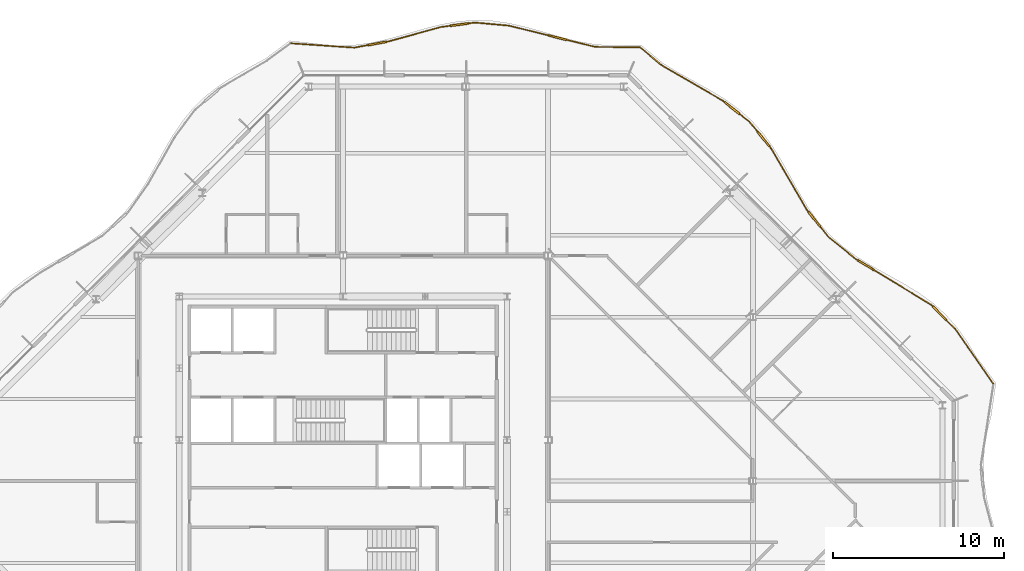
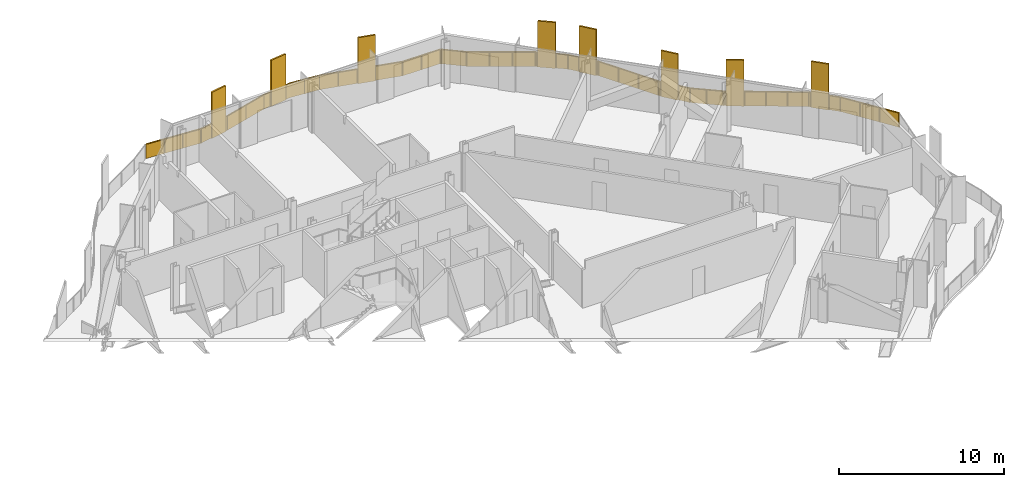
# One storey, part 17 of 17: 2 railings.
"""IFC4 building model written with IfcOpenShell, lengths in metres."""

from ifc_helpers import new_model, si_unit, direction, frame, origin, origin_2d, place, context, subcontext, project, spatial, polyline, rectangle, outline, extrude, material, type_object, element, save


model = new_model("IFC4")

# Units and contexts
model_context = context("Model", 3, precision=1e-05, world=origin(), true_north=direction((0.0, 1.0)))
body_context = subcontext(model_context, "Body", "Model", "MODEL_VIEW")
ifc_project = project(units=[si_unit("LENGTHUNIT", "METRE"), si_unit("AREAUNIT", "SQUARE_METRE"), si_unit("VOLUMEUNIT", "CUBIC_METRE"), si_unit("PLANEANGLEUNIT", "RADIAN"), si_unit("MASSUNIT", "GRAM", prefix="KILO")], contexts=[model_context])

# Site, building, storey
site_placement = place(None, origin())
site = spatial("IfcSite", under=ifc_project, at=site_placement, CompositionType="ELEMENT")
building_placement = place(site_placement, origin())
building = spatial("IfcBuilding", under=site, at=building_placement, Name="Cairn Pilgrim Tower", CompositionType="ELEMENT")
storey_placement = place(building_placement, frame((0.0, 0.0, 235.800048828125)))
storey = spatial("IfcBuildingStorey", under=building, at=storey_placement, Name="L60", CompositionType="ELEMENT", Elevation=235.800048828125)

# Railings
ifc_material = material(Name="Bronze anodised aluminium rail, posts and fin screens with laminated glass infill", Category="aluminium")
railing_type = type_object("IfcRailingType", Name="BALCONY GUARD WITH FIN SCREENS", PredefinedType="GUARDRAIL", material=ifc_material)
railing_1_placement = place(storey_placement, frame((45.27880859375, 5.689697265625, 0.0)))
element("IfcRailing", 1, at=railing_1_placement, inside=storey, type_object=railing_type, Name="Balcony guard BGF-4 with fin screens", PredefinedType="GUARDRAIL", context=body_context, shape_type="SweptSolid", body=[
    extrude(rectangle(XDim=0.050048828125, YDim=0.050048828125, at=origin_2d()), frame((0.0, 0.0, 1.0751953125), z_axis=(-0.571986382255, 0.820263115418, 0.0), x_axis=(-0.820263115418, -0.571986382255, 0.0)), (0.0, 0.0, 1.0), 3.932373046875),
    extrude(rectangle(XDim=1.10009765625, YDim=0.110107421875, at=origin_2d()), frame((-3.15185546875, 4.133056640625, 0.0), z_axis=(0.0, 0.0, 1.0), x_axis=(-0.705131289232, 0.709076769431, 0.0)), (0.0, 0.0, 1.0), 3.39990234375),
    extrude(rectangle(XDim=0.050048828125, YDim=0.050048828125, at=origin_2d()), frame((-2.249267578125, 3.2255859375, 1.0751953125), z_axis=(-0.705131289232, 0.709076769431, 0.0), x_axis=(-0.709076769431, -0.705131289232, 0.0)), (0.0, 0.0, 1.0), 0.72998046875),
    extrude(rectangle(XDim=0.050048828125, YDim=0.050048828125, at=origin_2d()), frame((-3.53955078125, 4.523193359375, 1.0751953125), z_axis=(-0.705131289232, 0.709076769431, 0.0), x_axis=(-0.709076769431, -0.705131289232, 0.0)), (0.0, 0.0, 1.0), 0.150146484375),
    extrude(rectangle(XDim=1.10009765625, YDim=0.110107421875, at=origin_2d()), frame((-7.46337890625, 6.949462890625, 0.0), z_axis=(0.0, 0.0, 1.0), x_axis=(-0.854611563924, 0.5192678257, 0.0)), (0.0, 0.0, 1.0), 3.39990234375),
    extrude(rectangle(XDim=0.050048828125, YDim=0.050048828125, at=origin_2d()), frame((-3.6455078125, 4.629638671875, 1.0751953125), z_axis=(-0.854611563924, 0.5192678257, 0.0), x_axis=(-0.5192678257, -0.854611563924, 0.0)), (0.0, 0.0, 1.0), 3.91748046875),
    extrude(rectangle(XDim=0.050048828125, YDim=0.050048828125, at=origin_2d()), frame((-7.933349609375, 7.235107421875, 1.0751953125), z_axis=(-0.854611563924, 0.5192678257, 0.0), x_axis=(-0.5192678257, -0.854611563924, 0.0)), (0.0, 0.0, 1.0), 0.150146484375),
    extrude(rectangle(XDim=0.050048828125, YDim=0.050048828125, at=origin_2d()), frame((-8.061767578125, 7.31298828125, 1.0751953125), z_axis=(-0.779064191246, 0.626944164913, 0.0), x_axis=(-0.626944164913, -0.779064191246, 0.0)), (0.0, 0.0, 1.0), 2.049560546875),
    extrude(rectangle(XDim=1.10009765625, YDim=0.110107421875, at=origin_2d()), frame((-10.4814453125, 9.629638671875, 0.0), z_axis=(0.0, 0.0, 1.0), x_axis=(-0.623591441924, 0.781750416412, 0.0)), (0.0, 0.0, 1.0), 3.39990234375),
    extrude(rectangle(XDim=0.050048828125, YDim=0.050048828125, at=origin_2d()), frame((-9.658447265625, 8.597900390625, 1.0751953125), z_axis=(-0.623591441924, 0.781750416412, 0.0), x_axis=(-0.781750416412, -0.623591441924, 0.0)), (0.0, 0.0, 1.0), 0.769775390625),
    extrude(rectangle(XDim=0.050048828125, YDim=0.050048828125, at=origin_2d()), frame((-10.824462890625, 10.0595703125, 1.0751953125), z_axis=(-0.623591441924, 0.781750416412, 0.0), x_axis=(-0.781750416412, -0.623591441924, 0.0)), (0.0, 0.0, 1.0), 0.181640625),
    extrude(rectangle(XDim=0.050048828125, YDim=0.050048828125, at=origin_2d()), frame((-10.937744140625, 10.20166015625, 1.0751953125), z_axis=(-0.502520506508, 0.864565289922, 0.0), x_axis=(-0.864565289922, -0.502520506508, 0.0)), (0.0, 0.0, 1.0), 4.16064453125),
    extrude(rectangle(XDim=1.10009765625, YDim=0.110107421875, at=origin_2d()), frame((-13.469970703125, 14.342041015625, 0.0), z_axis=(0.0, 0.0, 1.0), x_axis=(-0.63062028411, 0.776091526348, 0.0)), (0.0, 0.0, 1.0), 3.39990234375),
    extrude(rectangle(XDim=0.050048828125, YDim=0.050048828125, at=origin_2d()), frame((-13.028564453125, 13.798828125, 1.0751953125), z_axis=(-0.63062028411, 0.776091526348, 0.0), x_axis=(-0.776091526348, -0.63062028411, 0.0)), (0.0, 0.0, 1.0), 0.14990234375),
    extrude(rectangle(XDim=0.050048828125, YDim=0.050048828125, at=origin_2d()), frame((-13.81689453125, 14.768798828125, 1.0751953125), z_axis=(-0.63062028411, 0.776091526348, 0.0), x_axis=(-0.776091526348, -0.63062028411, 0.0)), (0.0, 0.0, 1.0), 0.743896484375),
    extrude(rectangle(XDim=1.10009765625, YDim=0.110107421875, at=origin_2d()), frame((-15.30419921875, 16.15087890625, 0.0), z_axis=(0.0, 0.0, 1.0), x_axis=(-0.784598053438, 0.620004753644, 0.0)), (0.0, 0.0, 1.0), 3.39990234375),
    extrude(rectangle(XDim=0.050048828125, YDim=0.050048828125, at=origin_2d()), frame((-14.285888671875, 15.34619140625, 1.0751953125), z_axis=(-0.784598053438, 0.620004753644, 0.0), x_axis=(-0.620004753644, -0.784598053438, 0.0)), (0.0, 0.0, 1.0), 0.747802734375),
    extrude(rectangle(XDim=0.050048828125, YDim=0.050048828125, at=origin_2d()), frame((-15.735595703125, 16.491943359375, 1.0751953125), z_axis=(-0.784598053438, 0.620004753644, 0.0), x_axis=(-0.620004753644, -0.784598053438, 0.0)), (0.0, 0.0, 1.0), 0.150146484375),
    extrude(rectangle(XDim=0.050048828125, YDim=0.050048828125, at=origin_2d()), frame((-15.853515625, 16.5849609375, 1.0751953125), z_axis=(-0.864516076056, 0.502605167343, 0.0), x_axis=(-0.502605167343, -0.864516076056, 0.0)), (0.0, 0.0, 1.0), 4.162841796875),
    extrude(rectangle(XDim=0.050048828125, YDim=0.050048828125, at=origin_2d()), frame((-19.452392578125, 18.67724609375, 1.0751953125), z_axis=(-0.769714606215, 0.638388146021, 0.0), x_axis=(-0.638388146021, -0.769714606215, 0.0)), (0.0, 0.0, 1.0), 1.55224609375),
    extrude(rectangle(XDim=0.050048828125, YDim=0.050048828125, at=origin_2d()), origin(), (0.0, 0.0, 1.0), 1.050048828125),
    extrude(rectangle(XDim=0.050048828125, YDim=0.050048828125, at=origin_2d()), frame((-0.749755859375, 1.0751953125, 0.0)), (0.0, 0.0, 1.0), 1.050048828125),
    extrude(rectangle(XDim=0.050048828125, YDim=0.050048828125, at=origin_2d()), frame((-1.49951171875, 2.150390625, 0.0)), (0.0, 0.0, 1.0), 1.050048828125),
    extrude(rectangle(XDim=0.050048828125, YDim=0.050048828125, at=origin_2d()), frame((-2.249267578125, 3.2255859375, 0.0)), (0.0, 0.0, 1.0), 1.050048828125),
    extrude(rectangle(XDim=0.050048828125, YDim=0.050048828125, at=origin_2d()), frame((-2.746337890625, 3.725341796875, 0.0)), (0.0, 0.0, 1.0), 1.050048828125),
    extrude(rectangle(XDim=0.050048828125, YDim=0.050048828125, at=origin_2d()), frame((-3.55712890625, 4.540771484375, 0.0)), (0.0, 0.0, 1.0), 1.050048828125),
    extrude(rectangle(XDim=0.050048828125, YDim=0.050048828125, at=origin_2d()), frame((-3.6455078125, 4.629638671875, 0.0)), (0.0, 0.0, 1.0), 1.050048828125),
    extrude(rectangle(XDim=0.050048828125, YDim=0.050048828125, at=origin_2d()), frame((-4.75439453125, 5.303466796875, 0.0)), (0.0, 0.0, 1.0), 1.050048828125),
    extrude(rectangle(XDim=0.050048828125, YDim=0.050048828125, at=origin_2d()), frame((-5.863037109375, 5.97705078125, 0.0)), (0.0, 0.0, 1.0), 1.050048828125),
    extrude(rectangle(XDim=0.050048828125, YDim=0.050048828125, at=origin_2d()), frame((-6.971923828125, 6.65087890625, 0.0)), (0.0, 0.0, 1.0), 1.050048828125),
    extrude(rectangle(XDim=0.050048828125, YDim=0.050048828125, at=origin_2d()), frame((-7.954833984375, 7.248046875, 0.0)), (0.0, 0.0, 1.0), 1.050048828125),
    extrude(rectangle(XDim=0.050048828125, YDim=0.050048828125, at=origin_2d()), frame((-8.061767578125, 7.31298828125, 0.0)), (0.0, 0.0, 1.0), 1.050048828125),
    extrude(rectangle(XDim=0.050048828125, YDim=0.050048828125, at=origin_2d()), frame((-8.860107421875, 7.95556640625, 0.0)), (0.0, 0.0, 1.0), 1.050048828125),
    extrude(rectangle(XDim=0.050048828125, YDim=0.050048828125, at=origin_2d()), frame((-9.658447265625, 8.597900390625, 0.0)), (0.0, 0.0, 1.0), 1.050048828125),
    extrude(rectangle(XDim=0.050048828125, YDim=0.050048828125, at=origin_2d()), frame((-10.122802734375, 9.18017578125, 0.0)), (0.0, 0.0, 1.0), 1.050048828125),
    extrude(rectangle(XDim=0.050048828125, YDim=0.050048828125, at=origin_2d()), frame((-10.840087890625, 10.0791015625, 0.0)), (0.0, 0.0, 1.0), 1.050048828125),
    extrude(rectangle(XDim=0.050048828125, YDim=0.050048828125, at=origin_2d()), frame((-10.937744140625, 10.20166015625, 0.0)), (0.0, 0.0, 1.0), 1.050048828125),
    extrude(rectangle(XDim=0.050048828125, YDim=0.050048828125, at=origin_2d()), frame((-11.634765625, 11.400634765625, 0.0)), (0.0, 0.0, 1.0), 1.050048828125),
    extrude(rectangle(XDim=0.050048828125, YDim=0.050048828125, at=origin_2d()), frame((-12.33154296875, 12.599853515625, 0.0)), (0.0, 0.0, 1.0), 1.050048828125),
    extrude(rectangle(XDim=0.050048828125, YDim=0.050048828125, at=origin_2d()), frame((-13.028564453125, 13.798828125, 0.0)), (0.0, 0.0, 1.0), 1.050048828125),
    extrude(rectangle(XDim=0.050048828125, YDim=0.050048828125, at=origin_2d()), frame((-13.107421875, 13.895751953125, 0.0)), (0.0, 0.0, 1.0), 1.050048828125),
    extrude(rectangle(XDim=0.050048828125, YDim=0.050048828125, at=origin_2d()), frame((-13.83251953125, 14.788330078125, 0.0)), (0.0, 0.0, 1.0), 1.050048828125),
    extrude(rectangle(XDim=0.050048828125, YDim=0.050048828125, at=origin_2d()), frame((-14.285888671875, 15.34619140625, 0.0)), (0.0, 0.0, 1.0), 1.050048828125),
    extrude(rectangle(XDim=0.050048828125, YDim=0.050048828125, at=origin_2d()), frame((-14.85302734375, 15.79443359375, 0.0)), (0.0, 0.0, 1.0), 1.050048828125),
    extrude(rectangle(XDim=0.050048828125, YDim=0.050048828125, at=origin_2d()), frame((-15.75537109375, 16.50732421875, 0.0)), (0.0, 0.0, 1.0), 1.050048828125),
    extrude(rectangle(XDim=0.050048828125, YDim=0.050048828125, at=origin_2d()), frame((-15.853515625, 16.5849609375, 0.0)), (0.0, 0.0, 1.0), 1.050048828125),
    extrude(rectangle(XDim=0.050048828125, YDim=0.050048828125, at=origin_2d()), frame((-17.05322265625, 17.282470703125, 0.0)), (0.0, 0.0, 1.0), 1.050048828125),
    extrude(rectangle(XDim=0.050048828125, YDim=0.050048828125, at=origin_2d()), frame((-18.252685546875, 17.979736328125, 0.0)), (0.0, 0.0, 1.0), 1.050048828125),
    extrude(rectangle(XDim=0.050048828125, YDim=0.050048828125, at=origin_2d()), frame((-19.452392578125, 18.67724609375, 0.0)), (0.0, 0.0, 1.0), 1.050048828125),
    extrude(rectangle(XDim=0.050048828125, YDim=0.050048828125, at=origin_2d()), frame((-20.647216796875, 19.668212890625, 0.0)), (0.0, 0.0, 1.0), 1.050048828125),
    extrude(outline(polyline([(0.02490234375, 0.0), (1.285888671875, 0.0), (1.285888671875, 1.050048828125), (0.02490234375, 1.050048828125), (0.02490234375, 0.0)])), frame((-0.0048828125, -0.00341796875, 0.0), z_axis=(0.820263115418, 0.571986382255, 0.0), x_axis=(-0.571986382255, 0.820263115418, 0.0)), (0.0, 0.0, 1.0), 0.011962890625),
    extrude(outline(polyline([(0.02490234375, 0.0), (1.285888671875, 0.0), (1.285888671875, 1.050048828125), (0.02490234375, 1.050048828125), (0.02490234375, 0.0)])), frame((-0.754638671875, 1.07177734375, 0.0), z_axis=(0.820263115418, 0.571986382255, 0.0), x_axis=(-0.571986382255, 0.820263115418, 0.0)), (0.0, 0.0, 1.0), 0.011962890625),
    extrude(outline(polyline([(0.02490234375, 0.0), (1.285888671875, 0.0), (1.285888671875, 1.050048828125), (0.02490234375, 1.050048828125), (0.02490234375, 0.0)])), frame((-1.50439453125, 2.14697265625, 0.0), z_axis=(0.820263115418, 0.571986382255, 0.0), x_axis=(-0.571986382255, 0.820263115418, 0.0)), (0.0, 0.0, 1.0), 0.011962890625),
    extrude(outline(polyline([(0.02490234375, 0.0), (0.679931640625, 0.0), (0.679931640625, 1.050048828125), (0.02490234375, 1.050048828125), (0.02490234375, 0.0)])), frame((-2.25341796875, 3.221435546875, 0.0), z_axis=(0.709076769431, 0.705131289232, 0.0), x_axis=(-0.705131289232, 0.709076769431, 0.0)), (0.0, 0.0, 1.0), 0.011962890625),
    extrude(outline(polyline([(0.02490234375, 0.0), (0.10009765625, 0.0), (0.10009765625, 1.050048828125), (0.02490234375, 1.050048828125), (0.02490234375, 0.0)])), frame((-3.5615234375, 4.53662109375, 0.0), z_axis=(0.709076769431, 0.705131289232, 0.0), x_axis=(-0.705131289232, 0.709076769431, 0.0)), (0.0, 0.0, 1.0), 0.011962890625),
    extrude(outline(polyline([(0.02490234375, 0.0), (1.2724609375, 0.0), (1.2724609375, 1.050048828125), (0.02490234375, 1.050048828125), (0.02490234375, 0.0)])), frame((-3.648681640625, 4.62451171875, 0.0), z_axis=(0.5192678257, 0.854611563924, 0.0), x_axis=(-0.854611563924, 0.5192678257, 0.0)), (0.0, 0.0, 1.0), 0.011962890625),
    extrude(outline(polyline([(0.02490234375, 0.0), (1.2724609375, 0.0), (1.2724609375, 1.050048828125), (0.02490234375, 1.050048828125), (0.02490234375, 0.0)])), frame((-4.75732421875, 5.29833984375, 0.0), z_axis=(0.5192678257, 0.854611563924, 0.0), x_axis=(-0.854611563924, 0.5192678257, 0.0)), (0.0, 0.0, 1.0), 0.011962890625),
    extrude(outline(polyline([(0.02490234375, 0.0), (1.2724609375, 0.0), (1.2724609375, 1.050048828125), (0.02490234375, 1.050048828125), (0.02490234375, 0.0)])), frame((-5.8662109375, 5.971923828125, 0.0), z_axis=(0.5192678257, 0.854611563924, 0.0), x_axis=(-0.854611563924, 0.5192678257, 0.0)), (0.0, 0.0, 1.0), 0.011962890625),
    extrude(outline(polyline([(0.02490234375, 0.0), (0.10009765625, 0.0), (0.10009765625, 1.050048828125), (0.02490234375, 1.050048828125), (0.02490234375, 0.0)])), frame((-7.9580078125, 7.242919921875, 0.0), z_axis=(0.5192678257, 0.854611563924, 0.0), x_axis=(-0.854611563924, 0.5192678257, 0.0)), (0.0, 0.0, 1.0), 0.011962890625),
    extrude(outline(polyline([(0.02490234375, 0.0), (0.999755859375, 0.0), (0.999755859375, 1.050048828125), (0.02490234375, 1.050048828125), (0.02490234375, 0.0)])), frame((-8.0654296875, 7.308349609375, 0.0), z_axis=(0.626944164913, 0.779064191246, 0.0), x_axis=(-0.779064191246, 0.626944164913, 0.0)), (0.0, 0.0, 1.0), 0.011962890625),
    extrude(outline(polyline([(0.02490234375, 0.0), (0.999755859375, 0.0), (0.999755859375, 1.050048828125), (0.02490234375, 1.050048828125), (0.02490234375, 0.0)])), frame((-8.86376953125, 7.95068359375, 0.0), z_axis=(0.626944164913, 0.779064191246, 0.0), x_axis=(-0.779064191246, 0.626944164913, 0.0)), (0.0, 0.0, 1.0), 0.011962890625),
    extrude(outline(polyline([(0.02490234375, 0.0), (0.7197265625, 0.0), (0.7197265625, 1.050048828125), (0.02490234375, 1.050048828125), (0.02490234375, 0.0)])), frame((-9.6630859375, 8.59423828125, 0.0), z_axis=(0.781750416412, 0.623591441924, 0.0), x_axis=(-0.623591441924, 0.781750416412, 0.0)), (0.0, 0.0, 1.0), 0.011962890625),
    extrude(outline(polyline([(0.02490234375, 0.0), (0.131591796875, 0.0), (0.131591796875, 1.050048828125), (0.02490234375, 1.050048828125), (0.02490234375, 0.0)])), frame((-10.8447265625, 10.075439453125, 0.0), z_axis=(0.781750416412, 0.623591441924, 0.0), x_axis=(-0.623591441924, 0.781750416412, 0.0)), (0.0, 0.0, 1.0), 0.011962890625),
    extrude(outline(polyline([(0.02490234375, 0.0), (1.36181640625, 0.0), (1.36181640625, 1.050048828125), (0.02490234375, 1.050048828125), (0.02490234375, 0.0)])), frame((-10.94287109375, 10.19873046875, 0.0), z_axis=(0.864565289922, 0.502520506508, 0.0), x_axis=(-0.502520506508, 0.864565289922, 0.0)), (0.0, 0.0, 1.0), 0.011962890625),
    extrude(outline(polyline([(0.02490234375, 0.0), (1.36181640625, 0.0), (1.36181640625, 1.050048828125), (0.02490234375, 1.050048828125), (0.02490234375, 0.0)])), frame((-11.639892578125, 11.397705078125, 0.0), z_axis=(0.864565289922, 0.502520506508, 0.0), x_axis=(-0.502520506508, 0.864565289922, 0.0)), (0.0, 0.0, 1.0), 0.011962890625),
    extrude(outline(polyline([(0.02490234375, 0.0), (1.36181640625, 0.0), (1.36181640625, 1.050048828125), (0.02490234375, 1.050048828125), (0.02490234375, 0.0)])), frame((-12.3369140625, 12.5966796875, 0.0), z_axis=(0.864565289922, 0.502520506508, 0.0), x_axis=(-0.502520506508, 0.864565289922, 0.0)), (0.0, 0.0, 1.0), 0.011962890625),
    extrude(outline(polyline([(0.02490234375, 0.0), (0.099853515625, 0.0), (0.099853515625, 1.050048828125), (0.02490234375, 1.050048828125), (0.02490234375, 0.0)])), frame((-13.033203125, 13.795166015625, 0.0), z_axis=(0.776091526348, 0.63062028411, 0.0), x_axis=(-0.63062028411, 0.776091526348, 0.0)), (0.0, 0.0, 1.0), 0.011962890625),
    extrude(outline(polyline([(0.02490234375, 0.0), (0.69384765625, 0.0), (0.69384765625, 1.050048828125), (0.02490234375, 1.050048828125), (0.02490234375, 0.0)])), frame((-13.837158203125, 14.784423828125, 0.0), z_axis=(0.776091526348, 0.63062028411, 0.0), x_axis=(-0.63062028411, 0.776091526348, 0.0)), (0.0, 0.0, 1.0), 0.011962890625),
    extrude(outline(polyline([(0.02490234375, 0.0), (0.69775390625, 0.0), (0.69775390625, 1.050048828125), (0.02490234375, 1.050048828125), (0.02490234375, 0.0)])), frame((-14.28955078125, 15.341552734375, 0.0), z_axis=(0.620004753644, 0.784598053438, 0.0), x_axis=(-0.784598053438, 0.620004753644, 0.0)), (0.0, 0.0, 1.0), 0.011962890625),
    extrude(outline(polyline([(0.02490234375, 0.0), (0.10009765625, 0.0), (0.10009765625, 1.050048828125), (0.02490234375, 1.050048828125), (0.02490234375, 0.0)])), frame((-15.759033203125, 16.502685546875, 0.0), z_axis=(0.620004753644, 0.784598053438, 0.0), x_axis=(-0.784598053438, 0.620004753644, 0.0)), (0.0, 0.0, 1.0), 0.011962890625),
    extrude(outline(polyline([(0.02490234375, 0.0), (1.362548828125, 0.0), (1.362548828125, 1.050048828125), (0.02490234375, 1.050048828125), (0.02490234375, 0.0)])), frame((-15.8564453125, 16.579833984375, 0.0), z_axis=(0.502605167343, 0.864516076056, 0.0), x_axis=(-0.864516076056, 0.502605167343, 0.0)), (0.0, 0.0, 1.0), 0.011962890625),
    extrude(outline(polyline([(0.02490234375, 0.0), (1.362548828125, 0.0), (1.362548828125, 1.050048828125), (0.02490234375, 1.050048828125), (0.02490234375, 0.0)])), frame((-17.05615234375, 17.277099609375, 0.0), z_axis=(0.502605167343, 0.864516076056, 0.0), x_axis=(-0.864516076056, 0.502605167343, 0.0)), (0.0, 0.0, 1.0), 0.011962890625),
    extrude(outline(polyline([(0.02490234375, 0.0), (1.362548828125, 0.0), (1.362548828125, 1.050048828125), (0.02490234375, 1.050048828125), (0.02490234375, 0.0)])), frame((-18.255859375, 17.974609375, 0.0), z_axis=(0.502605167343, 0.864516076056, 0.0), x_axis=(-0.864516076056, 0.502605167343, 0.0)), (0.0, 0.0, 1.0), 0.011962890625),
    extrude(outline(polyline([(0.02490234375, 0.0), (1.52734375, 0.0), (1.52734375, 1.050048828125), (0.02490234375, 1.050048828125), (0.02490234375, 0.0)])), frame((-19.456298828125, 18.672607421875, 0.0), z_axis=(0.638388146021, 0.769714606215, 0.0), x_axis=(-0.769714606215, 0.638388146021, 0.0)), (0.0, 0.0, 1.0), 0.011962890625),
])
railing_2_placement = place(storey_placement, frame((24.58544921875, 25.396240234375, 0.0)))
element("IfcRailing", 2, at=railing_2_placement, inside=storey, type_object=railing_type, Name="Balcony guard BGF-5 with fin screens", PredefinedType="GUARDRAIL", context=body_context, shape_type="SweptSolid", body=[
    extrude(rectangle(XDim=0.050048828125, YDim=0.050048828125, at=origin_2d()), frame((0.0, 0.0, 1.0751953125), z_axis=(-0.999950504553, 0.009949293657, 0.0), x_axis=(-0.009949293657, -0.999950504553, 0.0)), (0.0, 0.0, 1.0), 2.625732421875),
    extrude(rectangle(XDim=1.10009765625, YDim=0.110107421875, at=origin_2d()), frame((-4.83935546875, 0.5712890625, 0.0), z_axis=(0.0, 0.0, 1.0), x_axis=(-0.97099379066, 0.239104701962, 0.0)), (0.0, 0.0, 1.0), 3.39990234375),
    extrude(rectangle(XDim=0.050048828125, YDim=0.050048828125, at=origin_2d()), frame((-2.62548828125, 0.026123046875, 1.0751953125), z_axis=(-0.97099379066, 0.239104701962, 0.0), x_axis=(-0.239104701962, -0.97099379066, 0.0)), (0.0, 0.0, 1.0), 1.72998046875),
    extrude(rectangle(XDim=0.050048828125, YDim=0.050048828125, at=origin_2d()), frame((-5.37353515625, 0.702880859375, 1.0751953125), z_axis=(-0.97099379066, 0.239104701962, 0.0), x_axis=(-0.239104701962, -0.97099379066, 0.0)), (0.0, 0.0, 1.0), 2.37939453125),
    extrude(rectangle(XDim=0.050048828125, YDim=0.050048828125, at=origin_2d()), frame((-7.683837890625, 1.271728515625, 1.0751953125), z_axis=(-0.996004444031, 0.089303681165, 0.0), x_axis=(-0.089303681165, -0.996004444031, 0.0)), (0.0, 0.0, 1.0), 2.001220703125),
    extrude(rectangle(XDim=1.10009765625, YDim=0.110107421875, at=origin_2d()), frame((-10.57666015625, 1.332275390625, 0.0), z_axis=(0.0, 0.0, 1.0), x_axis=(-0.991499266091, -0.130112279747, 0.0)), (0.0, 0.0, 1.0), 3.39990234375),
    extrude(rectangle(XDim=0.050048828125, YDim=0.050048828125, at=origin_2d()), frame((-9.677001953125, 1.450439453125, 1.0751953125), z_axis=(-0.991499266091, -0.130112279747, 0.0), x_axis=(0.130112279747, -0.991499266091, 0.0)), (0.0, 0.0, 1.0), 0.357421875),
    extrude(rectangle(XDim=0.050048828125, YDim=0.050048828125, at=origin_2d()), frame((-11.1220703125, 1.2607421875, 1.0751953125), z_axis=(-0.991499266091, -0.130112279747, 0.0), x_axis=(0.130112279747, -0.991499266091, 0.0)), (0.0, 0.0, 1.0), 0.553955078125),
    extrude(rectangle(XDim=0.050048828125, YDim=0.050048828125, at=origin_2d()), frame((-11.67138671875, 1.188720703125, 1.0751953125), z_axis=(-0.963963070011, -0.266036087128, 0.0), x_axis=(0.266036087128, -0.963963070011, 0.0)), (0.0, 0.0, 1.0), 3.141357421875),
    extrude(rectangle(XDim=1.10009765625, YDim=0.110107421875, at=origin_2d()), frame((-15.388427734375, 0.228515625, 0.0), z_axis=(0.0, 0.0, 1.0), x_axis=(-0.984051627046, -0.177883094496, 0.0)), (0.0, 0.0, 1.0), 3.39990234375),
    extrude(rectangle(XDim=0.050048828125, YDim=0.050048828125, at=origin_2d()), frame((-14.699462890625, 0.35302734375, 1.0751953125), z_axis=(-0.984051627046, -0.177883094496, 0.0), x_axis=(0.177883094496, -0.984051627046, 0.0)), (0.0, 0.0, 1.0), 0.150146484375),
    extrude(rectangle(XDim=0.050048828125, YDim=0.050048828125, at=origin_2d()), frame((-15.9296875, 0.130615234375, 1.0751953125), z_axis=(-0.984051627046, -0.177883094496, 0.0), x_axis=(0.177883094496, -0.984051627046, 0.0)), (0.0, 0.0, 1.0), 0.8291015625),
    extrude(rectangle(XDim=0.050048828125, YDim=0.050048828125, at=origin_2d()), frame((-16.74560546875, -0.016845703125, 1.0751953125), z_axis=(-0.99769002613, 0.067930933757, 0.0), x_axis=(-0.067930933757, -0.99769002613, 0.0)), (0.0, 0.0, 1.0), 3.683837890625),
    extrude(rectangle(XDim=0.050048828125, YDim=0.050048828125, at=origin_2d()), origin(), (0.0, 0.0, 1.0), 1.050048828125),
    extrude(rectangle(XDim=0.050048828125, YDim=0.050048828125, at=origin_2d()), frame((-1.312744140625, 0.01318359375, 0.0)), (0.0, 0.0, 1.0), 1.050048828125),
    extrude(rectangle(XDim=0.050048828125, YDim=0.050048828125, at=origin_2d()), frame((-2.62548828125, 0.026123046875, 0.0)), (0.0, 0.0, 1.0), 1.050048828125),
    extrude(rectangle(XDim=0.050048828125, YDim=0.050048828125, at=origin_2d()), frame((-4.281005859375, 0.433837890625, 0.0)), (0.0, 0.0, 1.0), 1.050048828125),
    extrude(rectangle(XDim=0.050048828125, YDim=0.050048828125, at=origin_2d()), frame((-5.397705078125, 0.708740234375, 0.0)), (0.0, 0.0, 1.0), 1.050048828125),
    extrude(rectangle(XDim=0.050048828125, YDim=0.050048828125, at=origin_2d()), frame((-6.540771484375, 0.990234375, 0.0)), (0.0, 0.0, 1.0), 1.050048828125),
    extrude(rectangle(XDim=0.050048828125, YDim=0.050048828125, at=origin_2d()), frame((-7.683837890625, 1.271728515625, 0.0)), (0.0, 0.0, 1.0), 1.050048828125),
    extrude(rectangle(XDim=0.050048828125, YDim=0.050048828125, at=origin_2d()), frame((-8.680419921875, 1.361083984375, 0.0)), (0.0, 0.0, 1.0), 1.050048828125),
    extrude(rectangle(XDim=0.050048828125, YDim=0.050048828125, at=origin_2d()), frame((-9.677001953125, 1.450439453125, 0.0)), (0.0, 0.0, 1.0), 1.050048828125),
    extrude(rectangle(XDim=0.050048828125, YDim=0.050048828125, at=origin_2d()), frame((-10.006591796875, 1.4072265625, 0.0)), (0.0, 0.0, 1.0), 1.050048828125),
    extrude(rectangle(XDim=0.050048828125, YDim=0.050048828125, at=origin_2d()), frame((-11.14697265625, 1.257568359375, 0.0)), (0.0, 0.0, 1.0), 1.050048828125),
    extrude(rectangle(XDim=0.050048828125, YDim=0.050048828125, at=origin_2d()), frame((-11.67138671875, 1.188720703125, 0.0)), (0.0, 0.0, 1.0), 1.050048828125),
    extrude(rectangle(XDim=0.050048828125, YDim=0.050048828125, at=origin_2d()), frame((-13.185546875, 0.77099609375, 0.0)), (0.0, 0.0, 1.0), 1.050048828125),
    extrude(rectangle(XDim=0.050048828125, YDim=0.050048828125, at=origin_2d()), frame((-14.699462890625, 0.35302734375, 0.0)), (0.0, 0.0, 1.0), 1.050048828125),
    extrude(rectangle(XDim=0.050048828125, YDim=0.050048828125, at=origin_2d()), frame((-14.822509765625, 0.330810546875, 0.0)), (0.0, 0.0, 1.0), 1.050048828125),
    extrude(rectangle(XDim=0.050048828125, YDim=0.050048828125, at=origin_2d()), frame((-15.954345703125, 0.126220703125, 0.0)), (0.0, 0.0, 1.0), 1.050048828125),
    extrude(rectangle(XDim=0.050048828125, YDim=0.050048828125, at=origin_2d()), frame((-16.74560546875, -0.016845703125, 0.0)), (0.0, 0.0, 1.0), 1.050048828125),
    extrude(rectangle(XDim=0.050048828125, YDim=0.050048828125, at=origin_2d()), frame((-17.970703125, 0.066650390625, 0.0)), (0.0, 0.0, 1.0), 1.050048828125),
    extrude(rectangle(XDim=0.050048828125, YDim=0.050048828125, at=origin_2d()), frame((-19.19580078125, 0.14990234375, 0.0)), (0.0, 0.0, 1.0), 1.050048828125),
    extrude(rectangle(XDim=0.050048828125, YDim=0.050048828125, at=origin_2d()), frame((-20.4208984375, 0.2333984375, 0.0)), (0.0, 0.0, 1.0), 1.050048828125),
    extrude(outline(polyline([(0.02490234375, 0.0), (1.287841796875, 0.0), (1.287841796875, 1.050048828125), (0.02490234375, 1.050048828125), (0.02490234375, 0.0)])), frame((0.0, -0.005859375, 0.0), z_axis=(0.009949293657, 0.999950504553, 0.0), x_axis=(-0.999950504553, 0.009949293657, 0.0)), (0.0, 0.0, 1.0), 0.011962890625),
    extrude(outline(polyline([(0.02490234375, 0.0), (1.287841796875, 0.0), (1.287841796875, 1.050048828125), (0.02490234375, 1.050048828125), (0.02490234375, 0.0)])), frame((-1.312744140625, 0.007080078125, 0.0), z_axis=(0.009949293657, 0.999950504553, 0.0), x_axis=(-0.999950504553, 0.009949293657, 0.0)), (0.0, 0.0, 1.0), 0.011962890625),
    extrude(outline(polyline([(0.02490234375, 0.0), (1.679931640625, 0.0), (1.679931640625, 1.050048828125), (0.02490234375, 1.050048828125), (0.02490234375, 0.0)])), frame((-2.626953125, 0.020263671875, 0.0), z_axis=(0.239104701962, 0.97099379066, 0.0), x_axis=(-0.97099379066, 0.239104701962, 0.0)), (0.0, 0.0, 1.0), 0.011962890625),
    extrude(outline(polyline([(0.02490234375, 0.0), (1.152099609375, 0.0), (1.152099609375, 1.050048828125), (0.02490234375, 1.050048828125), (0.02490234375, 0.0)])), frame((-5.399169921875, 0.702880859375, 0.0), z_axis=(0.239104701962, 0.97099379066, 0.0), x_axis=(-0.97099379066, 0.239104701962, 0.0)), (0.0, 0.0, 1.0), 0.011962890625),
    extrude(outline(polyline([(0.02490234375, 0.0), (1.152099609375, 0.0), (1.152099609375, 1.050048828125), (0.02490234375, 1.050048828125), (0.02490234375, 0.0)])), frame((-6.542236328125, 0.984375, 0.0), z_axis=(0.239104701962, 0.97099379066, 0.0), x_axis=(-0.97099379066, 0.239104701962, 0.0)), (0.0, 0.0, 1.0), 0.011962890625),
    extrude(outline(polyline([(0.02490234375, 0.0), (0.9755859375, 0.0), (0.9755859375, 1.050048828125), (0.02490234375, 1.050048828125), (0.02490234375, 0.0)])), frame((-7.684326171875, 1.265869140625, 0.0), z_axis=(0.089303681165, 0.996004444031, 0.0), x_axis=(-0.996004444031, 0.089303681165, 0.0)), (0.0, 0.0, 1.0), 0.011962890625),
    extrude(outline(polyline([(0.02490234375, 0.0), (0.9755859375, 0.0), (0.9755859375, 1.050048828125), (0.02490234375, 1.050048828125), (0.02490234375, 0.0)])), frame((-8.680908203125, 1.355224609375, 0.0), z_axis=(0.089303681165, 0.996004444031, 0.0), x_axis=(-0.996004444031, 0.089303681165, 0.0)), (0.0, 0.0, 1.0), 0.011962890625),
    extrude(outline(polyline([(0.02490234375, 0.0), (0.307373046875, 0.0), (0.307373046875, 1.050048828125), (0.02490234375, 1.050048828125), (0.02490234375, 0.0)])), frame((-9.67626953125, 1.444580078125, 0.0), z_axis=(-0.130112279747, 0.991499266091, 0.0), x_axis=(-0.991499266091, -0.130112279747, 0.0)), (0.0, 0.0, 1.0), 0.011962890625),
    extrude(outline(polyline([(0.02490234375, 0.0), (0.50390625, 0.0), (0.50390625, 1.050048828125), (0.02490234375, 1.050048828125), (0.02490234375, 0.0)])), frame((-11.14599609375, 1.251708984375, 0.0), z_axis=(-0.130112279747, 0.991499266091, 0.0), x_axis=(-0.991499266091, -0.130112279747, 0.0)), (0.0, 0.0, 1.0), 0.011962890625),
    extrude(outline(polyline([(0.02490234375, 0.0), (1.545654296875, 0.0), (1.545654296875, 1.050048828125), (0.02490234375, 1.050048828125), (0.02490234375, 0.0)])), frame((-11.669677734375, 1.182861328125, 0.0), z_axis=(-0.266036087128, 0.963963070011, 0.0), x_axis=(-0.963963070011, -0.266036087128, 0.0)), (0.0, 0.0, 1.0), 0.011962890625),
    extrude(outline(polyline([(0.02490234375, 0.0), (1.545654296875, 0.0), (1.545654296875, 1.050048828125), (0.02490234375, 1.050048828125), (0.02490234375, 0.0)])), frame((-13.183837890625, 0.76513671875, 0.0), z_axis=(-0.266036087128, 0.963963070011, 0.0), x_axis=(-0.963963070011, -0.266036087128, 0.0)), (0.0, 0.0, 1.0), 0.011962890625),
    extrude(outline(polyline([(0.02490234375, 0.0), (0.10009765625, 0.0), (0.10009765625, 1.050048828125), (0.02490234375, 1.050048828125), (0.02490234375, 0.0)])), frame((-14.698486328125, 0.34716796875, 0.0), z_axis=(-0.177883094496, 0.984051627046, 0.0), x_axis=(-0.984051627046, -0.177883094496, 0.0)), (0.0, 0.0, 1.0), 0.011962890625),
    extrude(outline(polyline([(0.02490234375, 0.0), (0.779052734375, 0.0), (0.779052734375, 1.050048828125), (0.02490234375, 1.050048828125), (0.02490234375, 0.0)])), frame((-15.953125, 0.120361328125, 0.0), z_axis=(-0.177883094496, 0.984051627046, 0.0), x_axis=(-0.984051627046, -0.177883094496, 0.0)), (0.0, 0.0, 1.0), 0.011962890625),
    extrude(outline(polyline([(0.02490234375, 0.0), (1.202880859375, 0.0), (1.202880859375, 1.050048828125), (0.02490234375, 1.050048828125), (0.02490234375, 0.0)])), frame((-16.74609375, -0.022705078125, 0.0), z_axis=(0.067930933757, 0.99769002613, 0.0), x_axis=(-0.99769002613, 0.067930933757, 0.0)), (0.0, 0.0, 1.0), 0.011962890625),
    extrude(outline(polyline([(0.02490234375, 0.0), (1.202880859375, 0.0), (1.202880859375, 1.050048828125), (0.02490234375, 1.050048828125), (0.02490234375, 0.0)])), frame((-17.97119140625, 0.060546875, 0.0), z_axis=(0.067930933757, 0.99769002613, 0.0), x_axis=(-0.99769002613, 0.067930933757, 0.0)), (0.0, 0.0, 1.0), 0.011962890625),
    extrude(outline(polyline([(0.02490234375, 0.0), (1.202880859375, 0.0), (1.202880859375, 1.050048828125), (0.02490234375, 1.050048828125), (0.02490234375, 0.0)])), frame((-19.1962890625, 0.14404296875, 0.0), z_axis=(0.067930933757, 0.99769002613, 0.0), x_axis=(-0.99769002613, 0.067930933757, 0.0)), (0.0, 0.0, 1.0), 0.011962890625),
])

save(model, "model.ifc")
